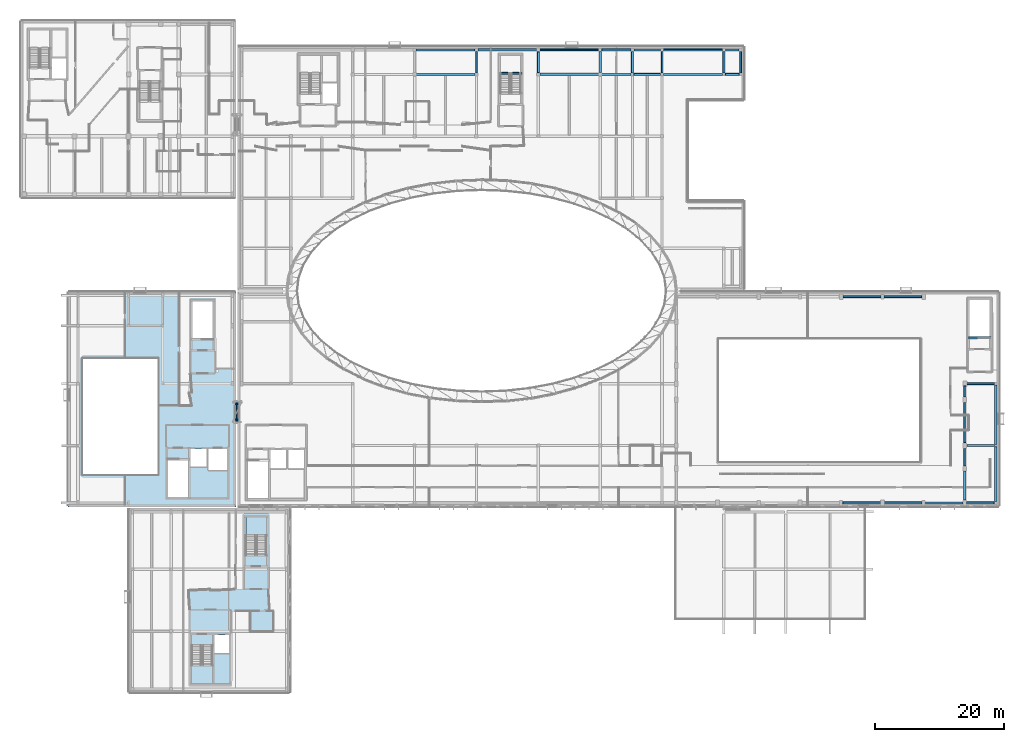
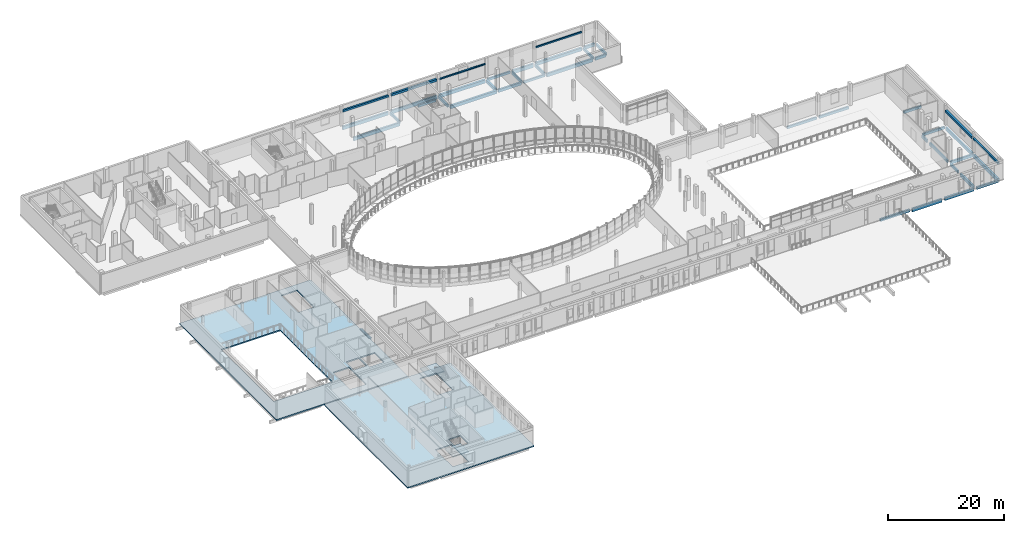
# One storey, part 28 of 73: 42 beams, 5 slabs, 2 plates, 2 elements without a shape of their own.
"""IFC4 building model written with IfcOpenShell, lengths in metres."""

from ifc_helpers import new_model, si_unit, direction, frame, origin, origin_2d, place, context, subcontext, project, spatial, polyline, rectangle, outline, extrude, material, layer, layer_set, material_profile, profile_set, type_object, element, aggregate, save


model = new_model("IFC4")

# Units and contexts
model_context = context("Model", 3, precision=1e-05, world=origin(), true_north=direction((0.0, 1.0)))
body_context = subcontext(model_context, "Body", "Model", "MODEL_VIEW")
ifc_project = project(units=[si_unit("LENGTHUNIT", "METRE"), si_unit("AREAUNIT", "SQUARE_METRE"), si_unit("VOLUMEUNIT", "CUBIC_METRE"), si_unit("PLANEANGLEUNIT", "RADIAN"), si_unit("MASSUNIT", "GRAM", prefix="KILO")], contexts=[model_context])

# Site, building, storey
site_placement = place(None, origin())
site = spatial("IfcSite", under=ifc_project, at=site_placement, CompositionType="ELEMENT")
building_placement = place(site_placement, origin())
building = spatial("IfcBuilding", under=site, at=building_placement, Name="Mzevani Central Library", CompositionType="ELEMENT")
storey_placement = place(building_placement, frame((0.0, 0.0, 9.60009765625)))
storey = spatial("IfcBuildingStorey", under=building, at=storey_placement, Name="L02", CompositionType="ELEMENT", Elevation=9.60009765625)

# Beams
ifc_material_1 = material(Name="Concrete C35/45", Category="concrete")
ifc_material_profile_1 = material_profile(ifc_material_1, rectangle(XDim=0.300048828125, YDim=0.5, at=origin_2d()), Name="RC B300x500")
ifc_profile_set_1 = profile_set([ifc_material_profile_1], Name="Concrete C35/45")
beam_type_1 = type_object("IfcBeamType", Name="Beam RC 300x500", PredefinedType="BEAM", material=ifc_profile_set_1)
beam_1_placement = place(storey_placement, frame((159.27490234375, 43.10009765625, -0.510009765625), z_axis=(1.0, 0.0, 0.0), x_axis=(0.0, 1.0, 0.0)))
element("IfcBeam", 1, at=beam_1_placement, inside=storey, type_object=beam_type_1, Name="L02 V1 Girder B-01 (92)", PredefinedType="BEAM", context=body_context, shape_type="SweptSolid", body=[
    extrude(rectangle(XDim=0.300048828125, YDim=0.5, at=origin_2d()), origin(), (0.0, 0.0, 1.0), 4.275146484375),
])
beam_2_placement = place(storey_placement, frame((159.25, 61.60009765625, -0.510009765625), z_axis=(1.0, 0.0, 0.0), x_axis=(0.0, 1.0, 0.0)))
element("IfcBeam", 2, at=beam_2_placement, inside=storey, type_object=beam_type_1, Name="L02 V1 Girder B-01 (104)", PredefinedType="BEAM", context=body_context, shape_type="SweptSolid", body=[
    extrude(rectangle(XDim=0.300048828125, YDim=0.5, at=origin_2d()), origin(), (0.0, 0.0, 1.0), 4.324951171875),
])
beam_3_placement = place(storey_placement, frame((140.10009765625, 75.10009765625, -0.510009765625), z_axis=(1.0, 0.0, 0.0), x_axis=(0.0, 1.0, 0.0)))
element("IfcBeam", 3, at=beam_3_placement, inside=storey, type_object=beam_type_1, Name="L02 V1 Girder B-01 (112)", PredefinedType="BEAM", context=body_context, shape_type="SweptSolid", body=[
    extrude(rectangle(XDim=0.300048828125, YDim=0.5, at=origin_2d()), origin(), (0.0, 0.0, 1.0), 5.849853515625),
])
beam_4_placement = place(storey_placement, frame((159.0, 48.8330078125, -0.510009765625), z_axis=(0.0, 1.0, 0.0), x_axis=(-1.0, 0.0, 0.0)))
element("IfcBeam", 4, at=beam_4_placement, inside=storey, type_object=beam_type_1, Name="L02 V1 Frame Beam B-01 (136)", PredefinedType="BEAM", context=body_context, shape_type="SweptSolid", body=[
    extrude(rectangle(XDim=0.300048828125, YDim=0.5, at=origin_2d()), origin(), (0.0, 0.0, 1.0), 2.717041015625),
])
beam_5_placement = place(storey_placement, frame((107.625, 109.60009765625, -0.530029296875), z_axis=(1.0, 0.0, 0.0), x_axis=(0.0, 1.0, 0.0)))
element("IfcBeam", 5, at=beam_5_placement, inside=storey, type_object=beam_type_1, Name="L02 V3 Girder B-01 (576)", PredefinedType="BEAM", context=body_context, shape_type="SweptSolid", body=[
    extrude(rectangle(XDim=0.300048828125, YDim=0.5, at=origin_2d()), origin(), (0.0, 0.0, 1.0), 4.14990234375),
])
beam_6_placement = place(storey_placement, frame((102.64990234375, 113.39990234375, -0.530029296875), z_axis=(1.0, 0.0, 0.0), x_axis=(0.0, 1.0, 0.0)))
element("IfcBeam", 6, at=beam_6_placement, inside=storey, type_object=beam_type_1, Name="L02 V3 Girder B-01 (584)", PredefinedType="BEAM", context=body_context, shape_type="SweptSolid", body=[
    extrude(rectangle(XDim=0.300048828125, YDim=0.5, at=origin_2d()), origin(), (0.0, 0.0, 1.0), 4.5),
])
beam_7_placement = place(storey_placement, frame((92.800048828125, 109.875, -0.530029296875), z_axis=(0.0, 1.0, 0.0), x_axis=(-1.0, 0.0, 0.0)))
element("IfcBeam", 7, at=beam_7_placement, inside=storey, type_object=beam_type_1, Name="L02 V3 Frame Beam B-01 (604)", PredefinedType="BEAM", context=body_context, shape_type="SweptSolid", body=[
    extrude(rectangle(XDim=0.300048828125, YDim=0.5, at=origin_2d()), origin(), (0.0, 0.0, 1.0), 3.22509765625),
])
beam_8_placement = place(storey_placement, frame((121.60009765625, 109.824951171875, -0.530029296875), z_axis=(0.0, 1.0, 0.0), x_axis=(-1.0, 0.0, 0.0)))
element("IfcBeam", 8, at=beam_8_placement, inside=storey, type_object=beam_type_1, Name="L02 V3 Frame Beam B-01 (616)", PredefinedType="BEAM", context=body_context, shape_type="SweptSolid", body=[
    extrude(rectangle(XDim=0.300048828125, YDim=0.5, at=origin_2d()), origin(), (0.0, 0.0, 1.0), 3.324951171875),
])
for number, where, z_axis, x_axis, name in (
    (9, (159.580078125, 68.699951171875, -0.25), (1.0, 0.0, 0.0), (0.0, 1.0, 0.0), "L02 Core C1B Reading Hall East Stair Opening Trimmer Beam"),
    (10, (86.780029296875, 109.780029296875, 1.64990234375), (1.0, 0.0, 0.0), (0.0, 1.0, 0.0), "L02 Core C3B Atrium East Escape Stair Stair Landing Beam 1"),
):
    element("IfcBeam", number, at=place(storey_placement, frame(where, z_axis=z_axis, x_axis=x_axis)), inside=storey, type_object=beam_type_1, Name=name, PredefinedType="BEAM", context=body_context, shape_type="SweptSolid", body=[
        extrude(rectangle(XDim=0.300048828125, YDim=0.5, at=origin_2d()), origin(), (0.0, 0.0, 1.0), 3.43994140625),
    ])
ifc_material_profile_2 = material_profile(ifc_material_1, rectangle(XDim=0.300048828125, YDim=0.550048828125, at=origin_2d()), Name="RC B300x550")
ifc_profile_set_2 = profile_set([ifc_material_profile_2], Name="Concrete C35/45")
beam_type_2 = type_object("IfcBeamType", Name="Beam RC 300x550", PredefinedType="BEAM", material=ifc_profile_set_2)
beam_9_placement = place(storey_placement, frame((140.074951171875, 43.10009765625, -0.53515625), z_axis=(1.0, 0.0, 0.0), x_axis=(0.0, 1.0, 0.0)))
element("IfcBeam", 11, at=beam_9_placement, inside=storey, type_object=beam_type_2, Name="L02 V1 Girder B-02 (89)", PredefinedType="BEAM", context=body_context, shape_type="SweptSolid", body=[
    extrude(rectangle(XDim=0.300048828125, YDim=0.550048828125, at=origin_2d()), origin(), (0.0, 0.0, 1.0), 5.875),
])
beam_10_placement = place(storey_placement, frame((146.449951171875, 75.10009765625, -0.53515625), z_axis=(1.0, 0.0, 0.0), x_axis=(0.0, 1.0, 0.0)))
element("IfcBeam", 12, at=beam_10_placement, inside=storey, type_object=beam_type_2, Name="L02 V1 Girder B-02 (113)", PredefinedType="BEAM", context=body_context, shape_type="SweptSolid", body=[
    extrude(rectangle(XDim=0.300048828125, YDim=0.550048828125, at=origin_2d()), origin(), (0.0, 0.0, 1.0), 5.85009765625),
])
beam_11_placement = place(storey_placement, frame((159.0, 52.449951171875, -0.53515625), z_axis=(0.0, 1.0, 0.0), x_axis=(-1.0, 0.0, 0.0)))
element("IfcBeam", 13, at=beam_11_placement, inside=storey, type_object=beam_type_2, Name="L02 V1 Frame Beam B-02 (137)", PredefinedType="BEAM", context=body_context, shape_type="SweptSolid", body=[
    extrude(rectangle(XDim=0.300048828125, YDim=0.550048828125, at=origin_2d()), origin(), (0.0, 0.0, 1.0), 6.199951171875),
])
ifc_material_profile_3 = material_profile(ifc_material_1, rectangle(XDim=0.300048828125, YDim=0.60009765625, at=origin_2d()), Name="RC B300x600")
ifc_profile_set_3 = profile_set([ifc_material_profile_3], Name="Concrete C35/45")
beam_type_3 = type_object("IfcBeamType", Name="Beam RC 300x600", PredefinedType="BEAM", material=ifc_profile_set_3)
beam_12_placement = place(storey_placement, frame((159.0, 59.550048828125, -0.56005859375), z_axis=(0.0, 1.0, 0.0), x_axis=(-1.0, 0.0, 0.0)))
element("IfcBeam", 14, at=beam_12_placement, inside=storey, type_object=beam_type_3, Name="L02 V1 Frame Beam B-03 (138)", PredefinedType="BEAM", context=body_context, shape_type="SweptSolid", body=[
    extrude(rectangle(XDim=0.300048828125, YDim=0.60009765625, at=origin_2d()), origin(), (0.0, 0.0, 1.0), 1.699951171875),
])
beam_13_placement = place(storey_placement, frame((121.824951171875, 109.60009765625, -0.580078125), z_axis=(1.0, 0.0, 0.0), x_axis=(0.0, 1.0, 0.0)))
element("IfcBeam", 15, at=beam_13_placement, inside=storey, type_object=beam_type_3, Name="L02 V3 Girder B-03 (578)", PredefinedType="BEAM", context=body_context, shape_type="SweptSolid", body=[
    extrude(rectangle(XDim=0.300048828125, YDim=0.60009765625, at=origin_2d()), origin(), (0.0, 0.0, 1.0), 2.150146484375),
])
beam_14_placement = place(storey_placement, frame((83.199951171875, 109.85009765625, -0.580078125), z_axis=(0.0, 1.0, 0.0), x_axis=(-1.0, 0.0, 0.0)))
element("IfcBeam", 16, at=beam_14_placement, inside=storey, type_object=beam_type_3, Name="L02 V3 Frame Beam B-03 (602)", PredefinedType="BEAM", context=body_context, shape_type="SweptSolid", body=[
    extrude(rectangle(XDim=0.300048828125, YDim=0.60009765625, at=origin_2d()), origin(), (0.0, 0.0, 1.0), 3.27490234375),
])
for number, where, z_axis, x_axis, name in (
    (17, (107.39990234375, 109.824951171875, -0.580078125), (0.0, 1.0, 0.0), (-1.0, 0.0, 0.0), "L02 V3 Frame Beam B-03 (610)"),
    (18, (112.0, 109.824951171875, -0.580078125), (0.0, 1.0, 0.0), (-1.0, 0.0, 0.0), "L02 V3 Frame Beam B-03 (614)"),
    (19, (124.199951171875, 109.824951171875, -0.580078125), (0.0, 1.0, 0.0), (-1.0, 0.0, 0.0), "L02 V3 Frame Beam B-03 (618)"),
):
    element("IfcBeam", number, at=place(storey_placement, frame(where, z_axis=z_axis, x_axis=x_axis)), inside=storey, type_object=beam_type_3, Name=name, PredefinedType="BEAM", context=body_context, shape_type="SweptSolid", body=[
        extrude(rectangle(XDim=0.300048828125, YDim=0.60009765625, at=origin_2d()), origin(), (0.0, 0.0, 1.0), 3.324951171875),
    ])
ifc_material_profile_4 = material_profile(ifc_material_1, rectangle(XDim=0.35009765625, YDim=0.60009765625, at=origin_2d()), Name="RC B350x600")
ifc_profile_set_4 = profile_set([ifc_material_profile_4], Name="Concrete C35/45")
beam_type_4 = type_object("IfcBeamType", Name="Beam RC 350x600", PredefinedType="BEAM", material=ifc_profile_set_4)
beam_15_placement = place(storey_placement, frame((152.875, 43.10009765625, -0.56005859375), z_axis=(1.0, 0.0, 0.0), x_axis=(0.0, 1.0, 0.0)))
element("IfcBeam", 20, at=beam_15_placement, inside=storey, type_object=beam_type_4, Name="L02 V1 Girder B-04 (91)", PredefinedType="BEAM", context=body_context, shape_type="SweptSolid", body=[
    extrude(rectangle(XDim=0.35009765625, YDim=0.60009765625, at=origin_2d()), origin(), (0.0, 0.0, 1.0), 5.85009765625),
])
beam_16_placement = place(storey_placement, frame((159.300048828125, 52.0, -0.56005859375), z_axis=(1.0, 0.0, 0.0), x_axis=(0.0, 1.0, 0.0)))
element("IfcBeam", 21, at=beam_16_placement, inside=storey, type_object=beam_type_4, Name="L02 V1 Girder B-04 (99)", PredefinedType="BEAM", context=body_context, shape_type="SweptSolid", body=[
    extrude(rectangle(XDim=0.35009765625, YDim=0.60009765625, at=origin_2d()), origin(), (0.0, 0.0, 1.0), 4.300048828125),
])
beam_17_placement = place(storey_placement, frame((159.0, 43.52490234375, -0.56005859375), z_axis=(0.0, 1.0, 0.0), x_axis=(-1.0, 0.0, 0.0)))
element("IfcBeam", 22, at=beam_17_placement, inside=storey, type_object=beam_type_4, Name="L02 V1 Frame Beam B-04 (135)", PredefinedType="BEAM", context=body_context, shape_type="SweptSolid", body=[
    extrude(rectangle(XDim=0.35009765625, YDim=0.60009765625, at=origin_2d()), origin(), (0.0, 0.0, 1.0), 4.508056640625),
])
beam_18_placement = place(storey_placement, frame((102.60009765625, 109.60009765625, -0.580078125), z_axis=(1.0, 0.0, 0.0), x_axis=(0.0, 1.0, 0.0)))
element("IfcBeam", 23, at=beam_18_placement, inside=storey, type_object=beam_type_4, Name="L02 V3 Girder B-04 (575)", PredefinedType="BEAM", context=body_context, shape_type="SweptSolid", body=[
    extrude(rectangle(XDim=0.35009765625, YDim=0.60009765625, at=origin_2d()), origin(), (0.0, 0.0, 1.0), 4.574951171875),
])
beam_19_placement = place(storey_placement, frame((121.85009765625, 113.39990234375, -0.580078125), z_axis=(1.0, 0.0, 0.0), x_axis=(0.0, 1.0, 0.0)))
element("IfcBeam", 24, at=beam_19_placement, inside=storey, type_object=beam_type_4, Name="L02 V3 Girder B-04 (587)", PredefinedType="BEAM", context=body_context, shape_type="SweptSolid", body=[
    extrude(rectangle(XDim=0.35009765625, YDim=0.60009765625, at=origin_2d()), origin(), (0.0, 0.0, 1.0), 2.099853515625),
])
beam_20_placement = place(storey_placement, frame((102.39990234375, 109.89990234375, -0.580078125), z_axis=(0.0, 1.0, 0.0), x_axis=(-1.0, 0.0, 0.0)))
element("IfcBeam", 25, at=beam_20_placement, inside=storey, type_object=beam_type_4, Name="L02 V3 Frame Beam B-04 (607)", PredefinedType="BEAM", context=body_context, shape_type="SweptSolid", body=[
    extrude(rectangle(XDim=0.35009765625, YDim=0.60009765625, at=origin_2d()), origin(), (0.0, 0.0, 1.0), 3.25),
])
ifc_material_profile_5 = material_profile(ifc_material_1, rectangle(XDim=0.35009765625, YDim=0.64990234375, at=origin_2d()), Name="RC B350x650")
ifc_profile_set_5 = profile_set([ifc_material_profile_5], Name="Concrete C35/45")
beam_type_5 = type_object("IfcBeamType", Name="Beam RC 350x650", PredefinedType="BEAM", material=ifc_profile_set_5)
beam_21_placement = place(storey_placement, frame((163.800048828125, 52.199951171875, -0.585205078125), z_axis=(0.0, 1.0, 0.0), x_axis=(-1.0, 0.0, 0.0)))
element("IfcBeam", 26, at=beam_21_placement, inside=storey, type_object=beam_type_5, Name="L02 V1 Frame Beam B-05 (140)", PredefinedType="BEAM", context=body_context, shape_type="SweptSolid", body=[
    extrude(rectangle(XDim=0.35009765625, YDim=0.64990234375, at=origin_2d()), origin(), (0.0, 0.0, 1.0), 9.175048828125),
])
ifc_material_profile_6 = material_profile(ifc_material_1, rectangle(XDim=0.35009765625, YDim=0.699951171875, at=origin_2d()), Name="RC B350x700")
ifc_profile_set_6 = profile_set([ifc_material_profile_6], Name="Concrete C35/45")
beam_type_6 = type_object("IfcBeamType", Name="Beam RC 350x700", PredefinedType="BEAM", material=ifc_profile_set_6)
for number, where, z_axis, x_axis, name in (
    (27, (73.800048828125, 109.60009765625, -0.630126953125), (1.0, 0.0, 0.0), (0.0, 1.0, 0.0), "L02 V3 Girder B-06 (573)"),
    (28, (112.22509765625, 109.60009765625, -0.630126953125), (1.0, 0.0, 0.0), (0.0, 1.0, 0.0), "L02 V3 Girder B-06 (577)"),
):
    element("IfcBeam", number, at=place(storey_placement, frame(where, z_axis=z_axis, x_axis=x_axis)), inside=storey, type_object=beam_type_6, Name=name, PredefinedType="BEAM", context=body_context, shape_type="SweptSolid", body=[
        extrude(rectangle(XDim=0.35009765625, YDim=0.699951171875, at=origin_2d()), origin(), (0.0, 0.0, 1.0), 9.14990234375),
    ])
beam_22_placement = place(storey_placement, frame((73.85009765625, 113.39990234375, -0.630126953125), z_axis=(1.0, 0.0, 0.0), x_axis=(0.0, 1.0, 0.0)))
element("IfcBeam", 29, at=beam_22_placement, inside=storey, type_object=beam_type_6, Name="L02 V3 Girder B-06 (581)", PredefinedType="BEAM", context=body_context, shape_type="SweptSolid", body=[
    extrude(rectangle(XDim=0.35009765625, YDim=0.699951171875, at=origin_2d()), origin(), (0.0, 0.0, 1.0), 9.074951171875),
])
ifc_material_profile_7 = material_profile(ifc_material_1, rectangle(XDim=0.39990234375, YDim=0.64990234375, at=origin_2d()), Name="RC B400x650")
ifc_profile_set_7 = profile_set([ifc_material_profile_7], Name="Concrete C35/45")
beam_type_7 = type_object("IfcBeamType", Name="Beam RC 400x650", PredefinedType="BEAM", material=ifc_profile_set_7)
beam_23_placement = place(storey_placement, frame((93.074951171875, 109.60009765625, -0.60498046875), z_axis=(1.0, 0.0, 0.0), x_axis=(0.0, 1.0, 0.0)))
element("IfcBeam", 30, at=beam_23_placement, inside=storey, type_object=beam_type_7, Name="L02 V3 Girder B-07 (574)", PredefinedType="BEAM", context=body_context, shape_type="SweptSolid", body=[
    extrude(rectangle(XDim=0.39990234375, YDim=0.64990234375, at=origin_2d()), origin(), (0.0, 0.0, 1.0), 9.125),
])
beam_24_placement = place(storey_placement, frame((112.25, 113.39990234375, -0.60498046875), z_axis=(1.0, 0.0, 0.0), x_axis=(0.0, 1.0, 0.0)))
element("IfcBeam", 31, at=beam_24_placement, inside=storey, type_object=beam_type_7, Name="L02 V3 Girder B-07 (586)", PredefinedType="BEAM", context=body_context, shape_type="SweptSolid", body=[
    extrude(rectangle(XDim=0.39990234375, YDim=0.64990234375, at=origin_2d()), origin(), (0.0, 0.0, 1.0), 9.10009765625),
])
ifc_material_profile_8 = material_profile(ifc_material_1, rectangle(XDim=0.39990234375, YDim=0.699951171875, at=origin_2d()), Name="RC B400x700")
ifc_profile_set_8 = profile_set([ifc_material_profile_8], Name="Concrete C35/45")
beam_type_8 = type_object("IfcBeamType", Name="Beam RC 400x700", PredefinedType="BEAM", material=ifc_profile_set_8)
beam_25_placement = place(storey_placement, frame((163.800048828125, 43.35009765625, -0.610107421875), z_axis=(0.0, 1.0, 0.0), x_axis=(-1.0, 0.0, 0.0)))
element("IfcBeam", 32, at=beam_25_placement, inside=storey, type_object=beam_type_8, Name="L02 V1 Frame Beam B-08 (139)", PredefinedType="BEAM", context=body_context, shape_type="SweptSolid", body=[
    extrude(rectangle(XDim=0.39990234375, YDim=0.699951171875, at=origin_2d()), origin(), (0.0, 0.0, 1.0), 8.449951171875),
])
beam_26_placement = place(storey_placement, frame((93.0, 113.39990234375, -0.630126953125), z_axis=(1.0, 0.0, 0.0), x_axis=(0.0, 1.0, 0.0)))
element("IfcBeam", 33, at=beam_26_placement, inside=storey, type_object=beam_type_8, Name="L02 V3 Girder B-08 (583)", PredefinedType="BEAM", context=body_context, shape_type="SweptSolid", body=[
    extrude(rectangle(XDim=0.39990234375, YDim=0.699951171875, at=origin_2d()), origin(), (0.0, 0.0, 1.0), 9.14990234375),
])
ifc_material_2 = material(Name="Precast concrete C40/50", Category="concrete")
ifc_material_profile_9 = material_profile(ifc_material_2, rectangle(XDim=0.35009765625, YDim=0.800048828125, at=origin_2d()), Name="RC SP350x800")
ifc_profile_set_9 = profile_set([ifc_material_profile_9], Name="Precast concrete C40/50")
beam_type_9 = type_object("IfcBeamType", Name="Colonnade Fascia Beam RC 350x800", PredefinedType="SPANDREL", material=ifc_profile_set_9)
beam_27_placement = place(storey_placement, frame((107.64990234375, 113.39990234375, -0.68017578125), z_axis=(1.0, 0.0, 0.0), x_axis=(0.0, 1.0, 0.0)))
element("IfcBeam", 34, at=beam_27_placement, inside=storey, type_object=beam_type_9, Name="L02 V3 Girder SP-02 (585)", PredefinedType="SPANDREL", context=body_context, shape_type="SweptSolid", body=[
    extrude(rectangle(XDim=0.35009765625, YDim=0.800048828125, at=origin_2d()), origin(), (0.0, 0.0, 1.0), 4.10009765625),
])
ifc_material_profile_10 = material_profile(ifc_material_2, rectangle(XDim=0.300048828125, YDim=0.75, at=origin_2d()), Name="RC SP300x750")
ifc_profile_set_10 = profile_set([ifc_material_profile_10], Name="Precast concrete C40/50")
beam_type_10 = type_object("IfcBeamType", Name="Edge Spandrel Beam RC 300x750", PredefinedType="SPANDREL", material=ifc_profile_set_10)
beam_28_placement = place(storey_placement, frame((146.449951171875, 43.10009765625, -0.635009765625), z_axis=(1.0, 0.0, 0.0), x_axis=(0.0, 1.0, 0.0)))
element("IfcBeam", 35, at=beam_28_placement, inside=storey, type_object=beam_type_10, Name="L02 V1 Girder SP-01 (90)", PredefinedType="SPANDREL", context=body_context, shape_type="SweptSolid", body=[
    extrude(rectangle(XDim=0.300048828125, YDim=0.75, at=origin_2d()), origin(), (0.0, 0.0, 1.0), 5.875),
])
beam_29_placement = place(storey_placement, frame((83.47509765625, 113.39990234375, -0.655029296875), z_axis=(1.0, 0.0, 0.0), x_axis=(0.0, 1.0, 0.0)))
element("IfcBeam", 36, at=beam_29_placement, inside=storey, type_object=beam_type_10, Name="L02 V3 Girder SP-01 (582)", PredefinedType="SPANDREL", context=body_context, shape_type="SweptSolid", body=[
    extrude(rectangle(XDim=0.300048828125, YDim=0.75, at=origin_2d()), origin(), (0.0, 0.0, 1.0), 9.125),
])
ifc_material_profile_11 = material_profile(ifc_material_2, rectangle(XDim=0.39990234375, YDim=0.449951171875, at=origin_2d()), Name="PC LN400x450")
ifc_profile_set_11 = profile_set([ifc_material_profile_11], Name="Precast concrete C40/50")
beam_type_11 = type_object("IfcBeamType", Name="Precast Portal Lintel 400x450", PredefinedType="LINTEL", material=ifc_profile_set_11)
beam_30_placement = place(storey_placement, frame((163.800048828125, 52.175048828125, 2.974853515625), z_axis=(0.0, 1.0, 0.0), x_axis=(-1.0, 0.0, 0.0)))
element("IfcBeam", 37, at=beam_30_placement, inside=storey, type_object=beam_type_11, Name="L02 V1 Precast Portal Lintel (24)", PredefinedType="LINTEL", context=body_context, shape_type="SweptSolid", body=[
    extrude(rectangle(XDim=0.39990234375, YDim=0.449951171875, at=origin_2d()), origin(), (0.0, 0.0, 1.0), 9.224853515625),
])
beam_31_placement = place(storey_placement, frame((83.449951171875, 113.39990234375, 2.974853515625), z_axis=(1.0, 0.0, 0.0), x_axis=(0.0, 1.0, 0.0)))
element("IfcBeam", 38, at=beam_31_placement, inside=storey, type_object=beam_type_11, Name="L02 V3 Precast Portal Lintel (48)", PredefinedType="LINTEL", context=body_context, shape_type="SweptSolid", body=[
    extrude(rectangle(XDim=0.39990234375, YDim=0.449951171875, at=origin_2d()), origin(), (0.0, 0.0, 1.0), 9.074951171875),
])
ifc_material_profile_12 = material_profile(ifc_material_2, rectangle(XDim=0.199951171875, YDim=0.25, at=origin_2d()), Name="PC LN200x250")
ifc_profile_set_12 = profile_set([ifc_material_profile_12], Name="Precast concrete C40/50")
beam_type_12 = type_object("IfcBeamType", Name="Precast Window Lintel 200x250", PredefinedType="LINTEL", material=ifc_profile_set_12)
beam_32_placement = place(storey_placement, frame((93.074951171875, 113.39990234375, 2.875), z_axis=(1.0, 0.0, 0.0), x_axis=(0.0, 1.0, 0.0)))
element("IfcBeam", 39, at=beam_32_placement, inside=storey, type_object=beam_type_12, Name="L02 V3 Precast Portal Lintel (49)", PredefinedType="LINTEL", context=body_context, shape_type="SweptSolid", body=[
    extrude(rectangle(XDim=0.199951171875, YDim=0.25, at=origin_2d()), origin(), (0.0, 0.0, 1.0), 9.10009765625),
])
ifc_material_profile_13 = material_profile(ifc_material_2, rectangle(XDim=0.25, YDim=0.300048828125, at=origin_2d()), Name="PC LN250x300")
ifc_profile_set_13 = profile_set([ifc_material_profile_13], Name="Precast concrete C40/50")
beam_type_13 = type_object("IfcBeamType", Name="Precast Window Lintel 250x300", PredefinedType="LINTEL", material=ifc_profile_set_13)
beam_33_placement = place(storey_placement, frame((112.22509765625, 113.39990234375, 2.89990234375), z_axis=(1.0, 0.0, 0.0), x_axis=(0.0, 1.0, 0.0)))
element("IfcBeam", 40, at=beam_33_placement, inside=storey, type_object=beam_type_13, Name="L02 V3 Precast Portal Lintel (50)", PredefinedType="LINTEL", context=body_context, shape_type="SweptSolid", body=[
    extrude(rectangle(XDim=0.25, YDim=0.300048828125, at=origin_2d()), origin(), (0.0, 0.0, 1.0), 9.14990234375),
])
ifc_material_profile_14 = material_profile(ifc_material_2, rectangle(XDim=0.35009765625, YDim=0.39990234375, at=origin_2d()), Name="PC LN350x400")
ifc_profile_set_14 = profile_set([ifc_material_profile_14], Name="Precast concrete C40/50")
beam_type_14 = type_object("IfcBeamType", Name="Precast Window Lintel 350x400", PredefinedType="LINTEL", material=ifc_profile_set_14)
beam_34_placement = place(storey_placement, frame((163.800048828125, 43.324951171875, 2.949951171875), z_axis=(0.0, 1.0, 0.0), x_axis=(-1.0, 0.0, 0.0)))
element("IfcBeam", 41, at=beam_34_placement, inside=storey, type_object=beam_type_14, Name="L02 V1 Precast Portal Lintel (23)", PredefinedType="LINTEL", context=body_context, shape_type="SweptSolid", body=[
    extrude(rectangle(XDim=0.35009765625, YDim=0.39990234375, at=origin_2d()), origin(), (0.0, 0.0, 1.0), 8.5),
])
beam_35_placement = place(storey_placement, frame((73.824951171875, 113.39990234375, 2.949951171875), z_axis=(1.0, 0.0, 0.0), x_axis=(0.0, 1.0, 0.0)))
element("IfcBeam", 42, at=beam_35_placement, inside=storey, type_object=beam_type_14, Name="L02 V3 Precast Portal Lintel (47)", PredefinedType="LINTEL", context=body_context, shape_type="SweptSolid", body=[
    extrude(rectangle(XDim=0.35009765625, YDim=0.39990234375, at=origin_2d()), origin(), (0.0, 0.0, 1.0), 9.125),
])

# Slabs
ifc_layer_1 = layer(ifc_material_1, 0.260009765625, Name="Public Reading Floor Slab 260")
ifc_layer_set_1 = layer_set([ifc_layer_1], Name="Concrete C35/45")
slab_type_1 = type_object("IfcSlabType", Name="Public Reading Floor Slab 260", PredefinedType="FLOOR", material=ifc_layer_set_1)
slab_1_placement = place(storey_placement, frame((0.0, 0.0, -0.260009765625)))
element("IfcSlab", 43, at=slab_1_placement, inside=storey, type_object=slab_type_1, Name="L02 V4 Structural Slab FS-02", PredefinedType="FLOOR", context=body_context, shape_type="SweptSolid", body=[
    extrude(outline(polyline([(54.300048828125, 13.60009765625), (29.199951171875, 13.60009765625), (29.199951171875, 42.300048828125), (54.300048828125, 42.300048828125), (54.300048828125, 13.60009765625)]), holes=[polyline([(39.0, 21.0), (39.0, 15.10009765625), (42.199951171875, 15.10009765625), (42.199951171875, 21.0), (39.0, 21.0)]), polyline([(42.5, 19.800048828125), (44.800048828125, 19.800048828125), (44.800048828125, 22.60009765625), (42.5, 22.60009765625), (42.5, 19.800048828125)]), polyline([(50.60009765625, 35.0), (50.60009765625, 40.89990234375), (47.39990234375, 40.89990234375), (47.39990234375, 35.0), (50.60009765625, 35.0)])]), origin(), (0.0, 0.0, 1.0), 0.260009765625),
])
slab_2_placement = place(storey_placement, frame((0.0, 0.0, -0.260009765625)))
element("IfcSlab", 44, at=slab_2_placement, inside=storey, type_object=slab_type_1, Name="L02 V5 Structural Slab FS-02", PredefinedType="FLOOR", context=body_context, shape_type="SweptSolid", body=[
    extrude(outline(polyline([(19.800048828125, 42.5), (19.800048828125, 75.89990234375), (45.89990234375, 75.89990234375), (45.89990234375, 42.5), (19.800048828125, 42.5)]), holes=[polyline([(33.800048828125, 65.5), (22.10009765625, 65.5), (22.10009765625, 47.5), (33.800048828125, 47.5), (33.800048828125, 65.5)]), polyline([(35.300048828125, 49.89990234375), (35.300048828125, 44.0), (38.5, 44.0), (38.5, 49.89990234375), (35.300048828125, 49.89990234375)]), polyline([(38.800048828125, 48.699951171875), (41.300048828125, 48.699951171875), (41.300048828125, 51.5), (38.800048828125, 51.5), (38.800048828125, 48.699951171875)]), polyline([(41.60009765625, 48.199951171875), (44.5, 48.199951171875), (44.5, 51.5), (41.60009765625, 51.5), (41.60009765625, 48.199951171875)]), polyline([(42.300048828125, 68.5), (42.300048828125, 74.39990234375), (39.10009765625, 74.39990234375), (39.10009765625, 68.5), (42.300048828125, 68.5)])]), origin(), (0.0, 0.0, 1.0), 0.260009765625),
])
ifc_layer_2 = layer(ifc_material_1, 0.239990234375, Name="Seismic Link Bridge Deck 240")
ifc_layer_set_2 = layer_set([ifc_layer_2], Name="Concrete C35/45")
slab_type_2 = type_object("IfcSlabType", Name="Seismic Link Bridge Deck 240", PredefinedType="FLOOR", material=ifc_layer_set_2)
slab_3_placement = place(storey_placement, frame((0.0, 0.0, -0.239990234375)))
element("IfcSlab", 45, at=slab_3_placement, inside=storey, type_object=slab_type_2, Name="L02 West Reading Seismic Passage L02 Deck", PredefinedType="FLOOR", context=body_context, shape_type="SweptSolid", body=[
    extrude(outline(polyline([(45.89990234375, 55.39990234375), (46.10009765625, 55.39990234375), (46.10009765625, 59.0), (45.89990234375, 59.0), (45.89990234375, 55.39990234375)])), origin(), (0.0, 0.0, 1.0), 0.239990234375),
])

# Stair, slab
stair_type = type_object("IfcStairType", Name="Dogleg Exit Stair 175x280", PredefinedType="HALF_TURN_STAIR", material=ifc_material_1)
stair_1_placement = place(storey_placement, origin())
stair_1 = element("IfcStair", 46, at=stair_1_placement, inside=storey, type_object=stair_type, Name="L02 Core C4A Cultural Wing Core Exit Stair ST-02", PredefinedType="HALF_TURN_STAIR")
ifc_layer_3 = layer(ifc_material_1, 0.199951171875, Name="Stair Landing Slab 200")
ifc_layer_set_3 = layer_set([ifc_layer_3], Name="Concrete C35/45")
slab_type_3 = type_object("IfcSlabType", Name="Stair Landing Slab 200", PredefinedType="LANDING", material=ifc_layer_set_3)
slab_4_placement = place(storey_placement, frame((0.0, 0.0, 1.89990234375)))
slab_4 = element("IfcSlab", 47, at=slab_4_placement, type_object=slab_type_3, Name="ST-07 landing 1", PredefinedType="LANDING", context=body_context, shape_type="SweptSolid", body=[
    extrude(outline(polyline([(39.0, 17.919921875), (39.0, 15.10009765625), (42.199951171875, 15.10009765625), (42.199951171875, 17.919921875), (39.0, 17.919921875)])), origin(), (0.0, 0.0, 1.0), 0.199951171875),
])
aggregate(stair_1, [slab_4])

stair_2_placement = place(storey_placement, origin())
stair_2 = element("IfcStair", 48, at=stair_2_placement, inside=storey, type_object=stair_type, Name="L02 Core C4B Square South Escape Stair Exit Stair ST-02", PredefinedType="HALF_TURN_STAIR")
slab_5_placement = place(storey_placement, frame((0.0, 0.0, 1.89990234375)))
slab_5 = element("IfcSlab", 49, at=slab_5_placement, type_object=slab_type_3, Name="ST-08 landing 1", PredefinedType="LANDING", context=body_context, shape_type="SweptSolid", body=[
    extrude(outline(polyline([(50.60009765625, 38.080078125), (50.60009765625, 40.89990234375), (47.39990234375, 40.89990234375), (47.39990234375, 38.080078125), (50.60009765625, 38.080078125)])), origin(), (0.0, 0.0, 1.0), 0.199951171875),
])
aggregate(stair_2, [slab_5])

# Plates
ifc_material_3 = material(Name="Steel S355J2", Category="steel")
ifc_layer_4 = layer(ifc_material_3, 0.035888671875, Name="Truss Splice Flange Plate 36")
ifc_layer_set_4 = layer_set([ifc_layer_4], Name="Steel S355J2")
plate_type = type_object("IfcPlateType", Name="Truss Splice Flange Plate 36", PredefinedType="USERDEFINED", material=ifc_layer_set_4)
for number, where, z_axis, x_axis, name in (
    (50, (45.89990234375, 57.199951171875, -0.0361328125), (0.0, 0.0, 1.0), (1.0, 0.0, 0.0), "L02 West Reading Seismic Passage L02 Walkable Seismic Threshold Cover Plate 1"),
    (51, (46.10009765625, 57.199951171875, -0.0361328125), (0.0, 0.0, 1.0), (1.0, 0.0, 0.0), "L02 West Reading Seismic Passage L02 Walkable Seismic Threshold Cover Plate 2"),
):
    element("IfcPlate", number, at=place(storey_placement, frame(where, z_axis=z_axis, x_axis=x_axis)), inside=storey, type_object=plate_type, Name=name, ObjectType="SPLICE PLATE", PredefinedType="USERDEFINED", context=body_context, shape_type="SweptSolid", body=[
        extrude(rectangle(XDim=0.419921875, YDim=3.199951171875, at=origin_2d()), origin(), (0.0, 0.0, 1.0), 0.035888671875),
    ])

save(model, "model.ifc")
